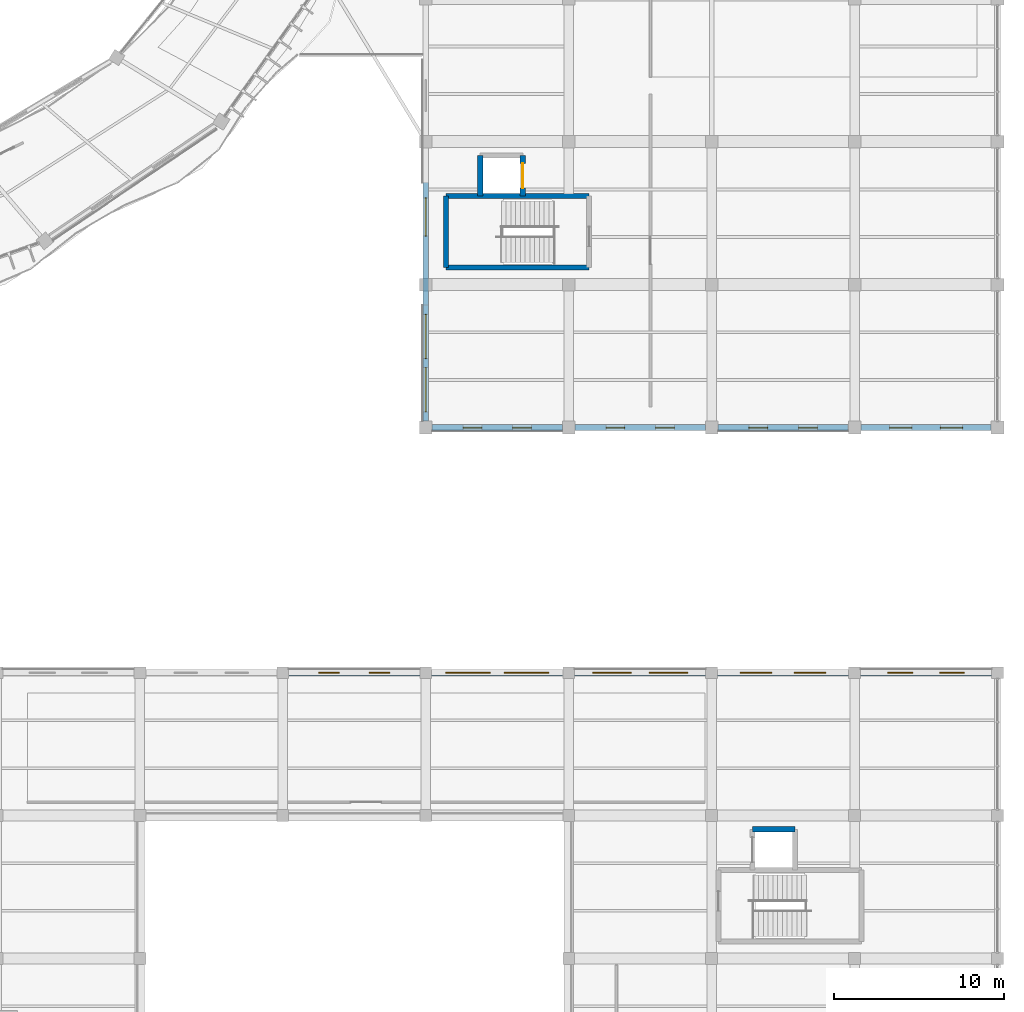
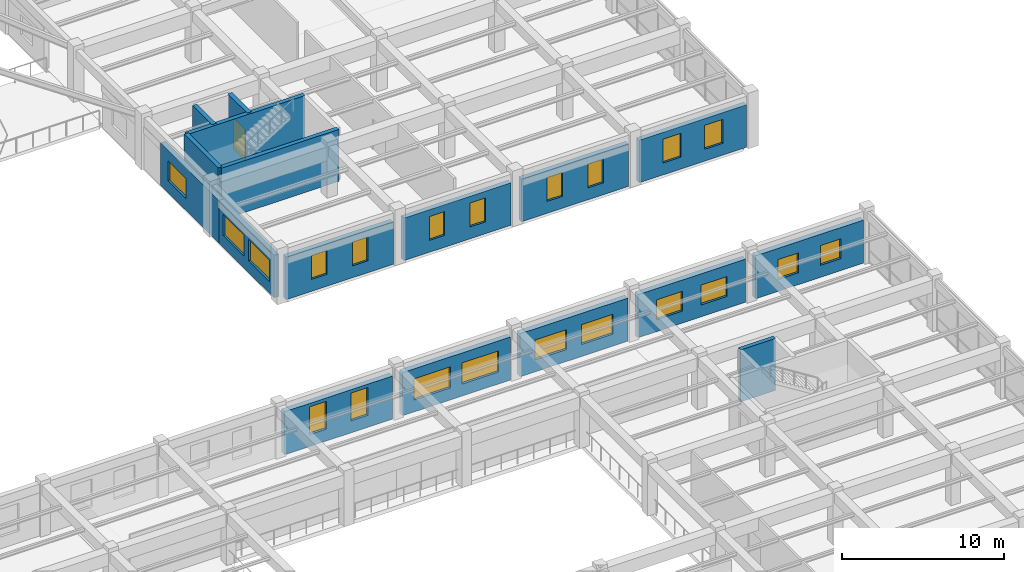
# One storey, part 127 of 152: 21 windows, 17 walls, 1 door, 22 openings.
"""IFC4 building model written with IfcOpenShell, lengths in metres."""

from ifc_helpers import new_model, si_unit, direction, frame, frame_2d, origin, place, context, subcontext, project, spatial, rectangle, extrude, material, layer, layer_set, type_object, element, fill, save


model = new_model("IFC4")

# Units and contexts
model_context = context("Model", 3, precision=1e-05, world=origin(), true_north=direction((0.0, 1.0)))
body_context = subcontext(model_context, "Body", "Model", "MODEL_VIEW")
ifc_project = project(units=[si_unit("LENGTHUNIT", "METRE"), si_unit("AREAUNIT", "SQUARE_METRE"), si_unit("VOLUMEUNIT", "CUBIC_METRE"), si_unit("PLANEANGLEUNIT", "RADIAN"), si_unit("MASSUNIT", "GRAM", prefix="KILO"), si_unit("THERMODYNAMICTEMPERATUREUNIT", "KELVIN"), si_unit("POWERUNIT", "WATT")], contexts=[model_context])

# Site, building, storey
site_placement = place(None, origin())
site = spatial("IfcSite", under=ifc_project, at=site_placement, CompositionType="ELEMENT")
building_placement = place(site_placement, origin())
building = spatial("IfcBuilding", under=site, at=building_placement, Name="Darbajah Civic Hall", CompositionType="ELEMENT")
storey_placement = place(building_placement, frame((0.0, 0.0, 5.39990234375)))
storey = spatial("IfcBuildingStorey", under=building, at=storey_placement, Name="L01", CompositionType="ELEMENT", Elevation=5.39990234375)

# Walls
ifc_material_1 = material(Name="Concrete C45/55", Category="concrete")
ifc_layer_1 = layer(ifc_material_1, 0.300048828125, Name="Concrete C45/55")
ifc_layer_set_1 = layer_set([ifc_layer_1], Name="Concrete C45/55")
wall_type_1 = type_object("IfcWallType", Name="Core Shear Wall 300mm", PredefinedType="SHEAR", material=ifc_layer_set_1)
wall_1_placement = place(storey_placement, frame((166.300048828125, 32.800048828125, 0.0), z_axis=(0.0, 0.0, 1.0), x_axis=(-1.0, 0.0, 0.0)))
element("IfcWall", 1, at=wall_1_placement, inside=storey, type_object=wall_type_1, Name="L01 lift GL1 shaft wall N", PredefinedType="SHEAR", context=body_context, shape_type="SweptSolid", body=[
    extrude(rectangle(XDim=2.5, YDim=0.300048828125, at=frame_2d((1.25, 0.0))), origin(), (0.0, 0.0, 1.0), 3.920166015625),
])
for number, where, z_axis, x_axis, name in (
    (2, (145.800048828125, 65.800048828125, 0.0), (0.0, 0.0, 1.0), (1.0, 0.0, 0.0), "L01 core C09 shear wall S"),
    (3, (154.199951171875, 70.0, 0.0), (0.0, 0.0, 1.0), (-1.0, 0.0, 0.0), "L01 core C09 shear wall N"),
):
    element("IfcWall", number, at=place(storey_placement, frame(where, z_axis=z_axis, x_axis=x_axis)), inside=storey, type_object=wall_type_1, Name=name, PredefinedType="SHEAR", context=body_context, shape_type="SweptSolid", body=[
        extrude(rectangle(XDim=8.39990234375, YDim=0.300048828125, at=frame_2d((4.199951171875, 0.0))), origin(), (0.0, 0.0, 1.0), 3.920166015625),
    ])
wall_2_placement = place(storey_placement, frame((145.800048828125, 70.0, 0.0), z_axis=(0.0, 0.0, 1.0), x_axis=(0.0, -1.0, 0.0)))
element("IfcWall", 4, at=wall_2_placement, inside=storey, type_object=wall_type_1, Name="L01 core C09 shear wall W", PredefinedType="SHEAR", context=body_context, shape_type="SweptSolid", body=[
    extrude(rectangle(XDim=4.199951171875, YDim=0.300048828125, at=frame_2d((2.10009765625, 0.0))), origin(), (0.0, 0.0, 1.0), 3.920166015625),
])
wall_3_placement = place(storey_placement, frame((147.800048828125, 72.39990234375, 0.0), z_axis=(0.0, 0.0, 1.0), x_axis=(0.0, -1.0, 0.0)))
element("IfcWall", 5, at=wall_3_placement, inside=storey, type_object=wall_type_1, Name="L01 lift BL1 shaft wall W", PredefinedType="SHEAR", context=body_context, shape_type="SweptSolid", body=[
    extrude(rectangle(XDim=2.39990234375, YDim=0.300048828125, at=frame_2d((1.199951171875, 0.0))), origin(), (0.0, 0.0, 1.0), 3.920166015625),
])

# Wall, opening, door
wall_4_placement = place(storey_placement, frame((150.300048828125, 70.0, 0.0), z_axis=(0.0, 0.0, 1.0), x_axis=(0.0, 1.0, 0.0)))
wall_4 = element("IfcWall", 6, at=wall_4_placement, inside=storey, type_object=wall_type_1, Name="L01 lift BL1 shaft wall E", PredefinedType="SHEAR", context=body_context, shape_type="SweptSolid", body=[
    extrude(rectangle(XDim=2.39990234375, YDim=0.300048828125, at=frame_2d((1.199951171875, 0.0))), origin(), (0.0, 0.0, 1.0), 3.920166015625),
])
opening_1_placement = place(wall_4_placement, frame((0.47509765625, 0.0, 0.0)))
opening_1 = element("IfcOpeningElement", 7, at=opening_1_placement, cuts=wall_4, Name="Opening LD-0105", PredefinedType="OPENING", context=body_context, shape_type="SweptSolid", body=[
    extrude(rectangle(XDim=1.449951171875, YDim=2.35009765625, at=frame_2d((0.72509765625, 1.175048828125))), frame((0.0, 0.159912109375, 0.0), z_axis=(0.0, -1.0, 0.0), x_axis=(1.0, 0.0, 0.0)), (0.0, 0.0, 1.0), 0.320068359375),
])
ifc_material_2 = material(Name="Goods Lift Landing Door")
door_type = type_object("IfcDoorType", Name="Lift Landing Door 1450x2350", OperationType="SLIDING_TO_LEFT", PredefinedType="DOOR", material=ifc_material_2)
door_placement = place(opening_1_placement, origin())
door = element("IfcDoor", 8, at=door_placement, inside=storey, type_object=door_type, Name="L01 lift BL1 landing door LD-0105", OperationType="SLIDING_TO_LEFT", OverallHeight=2.35009765625, OverallWidth=1.449951171875, PredefinedType="DOOR", context=body_context, shape_type="SweptSolid", body=[
    extrude(rectangle(XDim=1.449951171875, YDim=2.35009765625, at=frame_2d((0.72509765625, 1.175048828125))), frame((0.0, 0.02490234375, 0.0), z_axis=(0.0, -1.0, 0.0), x_axis=(1.0, 0.0, 0.0)), (0.0, 0.0, 1.0), 0.050048828125),
])
fill(opening_1, door)

# Wall, openings, windows
ifc_material_3 = material(Name="Qatari Desert Limestone Ashlar", Category="masonry")
ifc_layer_2 = layer(ifc_material_3, 0.340087890625, Name="Qatari Desert Limestone Ashlar")
ifc_layer_set_2 = layer_set([ifc_layer_2], Name="Qatari Desert Limestone Ashlar")
wall_type_2 = type_object("IfcWallType", Name="Exterior Wall 340mm", PredefinedType="SOLIDWALL", material=ifc_layer_set_2)
wall_5_placement = place(storey_placement, frame((144.97705078125, 56.39990234375, 0.0), z_axis=(0.0, 0.0, 1.0), x_axis=(1.0, 0.0, 0.0)))
wall_5 = element("IfcWall", 9, at=wall_5_placement, inside=storey, type_object=wall_type_2, Name="L01 exterior wall EW-340", PredefinedType="SOLIDWALL", context=body_context, shape_type="SweptSolid", body=[
    extrude(rectangle(XDim=7.64599609375, YDim=0.340087890625, at=frame_2d((3.822998046875, 0.0))), origin(), (0.0, 0.0, 1.0), 3.210205078125),
])
opening_2_placement = place(wall_5_placement, frame((1.815185546875, 0.0, 0.89990234375)))
opening_2 = element("IfcOpeningElement", 10, at=opening_2_placement, cuts=wall_5, Name="Opening WN-17", PredefinedType="OPENING", context=body_context, shape_type="SweptSolid", body=[
    extrude(rectangle(XDim=1.10009765625, YDim=1.800048828125, at=frame_2d((0.550048828125, 0.89990234375))), frame((0.0, 0.179931640625, 0.0), z_axis=(0.0, -1.0, 0.0), x_axis=(1.0, 0.0, 0.0)), (0.0, 0.0, 1.0), 0.360107421875),
])
opening_3_placement = place(wall_5_placement, frame((4.730712890625, 0.0, 0.89990234375)))
opening_3 = element("IfcOpeningElement", 11, at=opening_3_placement, cuts=wall_5, Name="Opening WN-17", PredefinedType="OPENING", context=body_context, shape_type="SweptSolid", body=[
    extrude(rectangle(XDim=1.10009765625, YDim=1.800048828125, at=frame_2d((0.550048828125, 0.89990234375))), frame((0.0, 0.179931640625, 0.0), z_axis=(0.0, -1.0, 0.0), x_axis=(1.0, 0.0, 0.0)), (0.0, 0.0, 1.0), 0.360107421875),
])
ifc_material_4 = material(Name="Low-E Solar Control Double Glazing", Category="glass")
window_type_1 = type_object("IfcWindowType", Name="Facade Window 1100x1800", PartitioningType="SINGLE_PANEL", PredefinedType="WINDOW", material=ifc_material_4)
window_1_placement = place(opening_2_placement, origin())
window_1 = element("IfcWindow", 12, at=window_1_placement, inside=storey, type_object=window_type_1, Name="L01 facade window WN-17", OverallHeight=1.800048828125, OverallWidth=1.10009765625, PartitioningType="SINGLE_PANEL", PredefinedType="WINDOW", context=body_context, shape_type="SweptSolid", body=[
    extrude(rectangle(XDim=1.10009765625, YDim=1.800048828125, at=frame_2d((0.550048828125, 0.89990234375))), frame((0.0, 0.030029296875, 0.0), z_axis=(0.0, -1.0, 0.0), x_axis=(1.0, 0.0, 0.0)), (0.0, 0.0, 1.0), 0.06005859375),
])
fill(opening_2, window_1)
window_2_placement = place(opening_3_placement, origin())
window_2 = element("IfcWindow", 13, at=window_2_placement, inside=storey, type_object=window_type_1, Name="L01 facade window WN-17", OverallHeight=1.800048828125, OverallWidth=1.10009765625, PartitioningType="SINGLE_PANEL", PredefinedType="WINDOW", context=body_context, shape_type="SweptSolid", body=[
    extrude(rectangle(XDim=1.10009765625, YDim=1.800048828125, at=frame_2d((0.550048828125, 0.89990234375))), frame((0.0, 0.030029296875, 0.0), z_axis=(0.0, -1.0, 0.0), x_axis=(1.0, 0.0, 0.0)), (0.0, 0.0, 1.0), 0.06005859375),
])
fill(opening_3, window_2)

wall_6_placement = place(storey_placement, frame((153.376953125, 56.39990234375, 0.0), z_axis=(0.0, 0.0, 1.0), x_axis=(1.0, 0.0, 0.0)))
wall_6 = element("IfcWall", 14, at=wall_6_placement, inside=storey, type_object=wall_type_2, Name="L01 exterior wall EW-340", PredefinedType="SOLIDWALL", context=body_context, shape_type="SweptSolid", body=[
    extrude(rectangle(XDim=7.64599609375, YDim=0.340087890625, at=frame_2d((3.822998046875, 0.0))), origin(), (0.0, 0.0, 1.0), 3.210205078125),
])
opening_4_placement = place(wall_6_placement, frame((1.815185546875, 0.0, 0.89990234375)))
opening_4 = element("IfcOpeningElement", 15, at=opening_4_placement, cuts=wall_6, Name="Opening WN-17", PredefinedType="OPENING", context=body_context, shape_type="SweptSolid", body=[
    extrude(rectangle(XDim=1.10009765625, YDim=1.800048828125, at=frame_2d((0.550048828125, 0.89990234375))), frame((0.0, 0.179931640625, 0.0), z_axis=(0.0, -1.0, 0.0), x_axis=(1.0, 0.0, 0.0)), (0.0, 0.0, 1.0), 0.360107421875),
])
opening_5_placement = place(wall_6_placement, frame((4.730712890625, 0.0, 0.89990234375)))
opening_5 = element("IfcOpeningElement", 16, at=opening_5_placement, cuts=wall_6, Name="Opening WN-17", PredefinedType="OPENING", context=body_context, shape_type="SweptSolid", body=[
    extrude(rectangle(XDim=1.10009765625, YDim=1.800048828125, at=frame_2d((0.550048828125, 0.89990234375))), frame((0.0, 0.179931640625, 0.0), z_axis=(0.0, -1.0, 0.0), x_axis=(1.0, 0.0, 0.0)), (0.0, 0.0, 1.0), 0.360107421875),
])
window_3_placement = place(opening_4_placement, origin())
window_3 = element("IfcWindow", 17, at=window_3_placement, inside=storey, type_object=window_type_1, Name="L01 facade window WN-17", OverallHeight=1.800048828125, OverallWidth=1.10009765625, PartitioningType="SINGLE_PANEL", PredefinedType="WINDOW", context=body_context, shape_type="SweptSolid", body=[
    extrude(rectangle(XDim=1.10009765625, YDim=1.800048828125, at=frame_2d((0.550048828125, 0.89990234375))), frame((0.0, 0.030029296875, 0.0), z_axis=(0.0, -1.0, 0.0), x_axis=(1.0, 0.0, 0.0)), (0.0, 0.0, 1.0), 0.06005859375),
])
fill(opening_4, window_3)
window_4_placement = place(opening_5_placement, origin())
window_4 = element("IfcWindow", 18, at=window_4_placement, inside=storey, type_object=window_type_1, Name="L01 facade window WN-17", OverallHeight=1.800048828125, OverallWidth=1.10009765625, PartitioningType="SINGLE_PANEL", PredefinedType="WINDOW", context=body_context, shape_type="SweptSolid", body=[
    extrude(rectangle(XDim=1.10009765625, YDim=1.800048828125, at=frame_2d((0.550048828125, 0.89990234375))), frame((0.0, 0.030029296875, 0.0), z_axis=(0.0, -1.0, 0.0), x_axis=(1.0, 0.0, 0.0)), (0.0, 0.0, 1.0), 0.06005859375),
])
fill(opening_5, window_4)

wall_7_placement = place(storey_placement, frame((161.777099609375, 56.39990234375, 0.0), z_axis=(0.0, 0.0, 1.0), x_axis=(1.0, 0.0, 0.0)))
wall_7 = element("IfcWall", 19, at=wall_7_placement, inside=storey, type_object=wall_type_2, Name="L01 exterior wall EW-340", PredefinedType="SOLIDWALL", context=body_context, shape_type="SweptSolid", body=[
    extrude(rectangle(XDim=7.64599609375, YDim=0.340087890625, at=frame_2d((3.822998046875, 0.0))), origin(), (0.0, 0.0, 1.0), 3.210205078125),
])
opening_6_placement = place(wall_7_placement, frame((1.815185546875, 0.0, 0.89990234375)))
opening_6 = element("IfcOpeningElement", 20, at=opening_6_placement, cuts=wall_7, Name="Opening WN-17", PredefinedType="OPENING", context=body_context, shape_type="SweptSolid", body=[
    extrude(rectangle(XDim=1.10009765625, YDim=1.800048828125, at=frame_2d((0.550048828125, 0.89990234375))), frame((0.0, 0.179931640625, 0.0), z_axis=(0.0, -1.0, 0.0), x_axis=(1.0, 0.0, 0.0)), (0.0, 0.0, 1.0), 0.360107421875),
])
opening_7_placement = place(wall_7_placement, frame((4.730712890625, 0.0, 0.89990234375)))
opening_7 = element("IfcOpeningElement", 21, at=opening_7_placement, cuts=wall_7, Name="Opening WN-17", PredefinedType="OPENING", context=body_context, shape_type="SweptSolid", body=[
    extrude(rectangle(XDim=1.10009765625, YDim=1.800048828125, at=frame_2d((0.550048828125, 0.89990234375))), frame((0.0, 0.179931640625, 0.0), z_axis=(0.0, -1.0, 0.0), x_axis=(1.0, 0.0, 0.0)), (0.0, 0.0, 1.0), 0.360107421875),
])
window_5_placement = place(opening_6_placement, origin())
window_5 = element("IfcWindow", 22, at=window_5_placement, inside=storey, type_object=window_type_1, Name="L01 facade window WN-17", OverallHeight=1.800048828125, OverallWidth=1.10009765625, PartitioningType="SINGLE_PANEL", PredefinedType="WINDOW", context=body_context, shape_type="SweptSolid", body=[
    extrude(rectangle(XDim=1.10009765625, YDim=1.800048828125, at=frame_2d((0.550048828125, 0.89990234375))), frame((0.0, 0.030029296875, 0.0), z_axis=(0.0, -1.0, 0.0), x_axis=(1.0, 0.0, 0.0)), (0.0, 0.0, 1.0), 0.06005859375),
])
fill(opening_6, window_5)
window_6_placement = place(opening_7_placement, origin())
window_6 = element("IfcWindow", 23, at=window_6_placement, inside=storey, type_object=window_type_1, Name="L01 facade window WN-17", OverallHeight=1.800048828125, OverallWidth=1.10009765625, PartitioningType="SINGLE_PANEL", PredefinedType="WINDOW", context=body_context, shape_type="SweptSolid", body=[
    extrude(rectangle(XDim=1.10009765625, YDim=1.800048828125, at=frame_2d((0.550048828125, 0.89990234375))), frame((0.0, 0.030029296875, 0.0), z_axis=(0.0, -1.0, 0.0), x_axis=(1.0, 0.0, 0.0)), (0.0, 0.0, 1.0), 0.06005859375),
])
fill(opening_7, window_6)

wall_8_placement = place(storey_placement, frame((170.177001953125, 56.39990234375, 0.0), z_axis=(0.0, 0.0, 1.0), x_axis=(1.0, 0.0, 0.0)))
wall_8 = element("IfcWall", 24, at=wall_8_placement, inside=storey, type_object=wall_type_2, Name="L01 exterior wall EW-340", PredefinedType="SOLIDWALL", context=body_context, shape_type="SweptSolid", body=[
    extrude(rectangle(XDim=7.64599609375, YDim=0.340087890625, at=frame_2d((3.822998046875, 0.0))), origin(), (0.0, 0.0, 1.0), 3.210205078125),
])
opening_8_placement = place(wall_8_placement, frame((1.681884765625, 0.0, 0.89990234375)))
opening_8 = element("IfcOpeningElement", 25, at=opening_8_placement, cuts=wall_8, Name="Opening WN-18", PredefinedType="OPENING", context=body_context, shape_type="SweptSolid", body=[
    extrude(rectangle(XDim=1.300048828125, YDim=1.800048828125, at=frame_2d((0.64990234375, 0.89990234375))), frame((0.0, 0.179931640625, 0.0), z_axis=(0.0, -1.0, 0.0), x_axis=(1.0, 0.0, 0.0)), (0.0, 0.0, 1.0), 0.360107421875),
])
opening_9_placement = place(wall_8_placement, frame((4.6640625, 0.0, 0.89990234375)))
opening_9 = element("IfcOpeningElement", 26, at=opening_9_placement, cuts=wall_8, Name="Opening WN-18", PredefinedType="OPENING", context=body_context, shape_type="SweptSolid", body=[
    extrude(rectangle(XDim=1.300048828125, YDim=1.800048828125, at=frame_2d((0.64990234375, 0.89990234375))), frame((0.0, 0.179931640625, 0.0), z_axis=(0.0, -1.0, 0.0), x_axis=(1.0, 0.0, 0.0)), (0.0, 0.0, 1.0), 0.360107421875),
])
window_type_2 = type_object("IfcWindowType", Name="Facade Window 1300x1800", PartitioningType="SINGLE_PANEL", PredefinedType="WINDOW", material=ifc_material_4)
window_7_placement = place(opening_8_placement, origin())
window_7 = element("IfcWindow", 27, at=window_7_placement, inside=storey, type_object=window_type_2, Name="L01 facade window WN-18", OverallHeight=1.800048828125, OverallWidth=1.300048828125, PartitioningType="SINGLE_PANEL", PredefinedType="WINDOW", context=body_context, shape_type="SweptSolid", body=[
    extrude(rectangle(XDim=1.300048828125, YDim=1.800048828125, at=frame_2d((0.64990234375, 0.89990234375))), frame((0.0, 0.030029296875, 0.0), z_axis=(0.0, -1.0, 0.0), x_axis=(1.0, 0.0, 0.0)), (0.0, 0.0, 1.0), 0.06005859375),
])
fill(opening_8, window_7)
window_8_placement = place(opening_9_placement, origin())
window_8 = element("IfcWindow", 28, at=window_8_placement, inside=storey, type_object=window_type_2, Name="L01 facade window WN-18", OverallHeight=1.800048828125, OverallWidth=1.300048828125, PartitioningType="SINGLE_PANEL", PredefinedType="WINDOW", context=body_context, shape_type="SweptSolid", body=[
    extrude(rectangle(XDim=1.300048828125, YDim=1.800048828125, at=frame_2d((0.64990234375, 0.89990234375))), frame((0.0, 0.030029296875, 0.0), z_axis=(0.0, -1.0, 0.0), x_axis=(1.0, 0.0, 0.0)), (0.0, 0.0, 1.0), 0.06005859375),
])
fill(opening_9, window_8)

# Wall, opening, window
wall_9_placement = place(storey_placement, frame((144.60009765625, 70.800048828125, 0.0), z_axis=(0.0, 0.0, 1.0), x_axis=(0.0, -1.0, 0.0)))
wall_9 = element("IfcWall", 29, at=wall_9_placement, inside=storey, type_object=wall_type_2, Name="L01 exterior wall EW-340", PredefinedType="SOLIDWALL", context=body_context, shape_type="SweptSolid", body=[
    extrude(rectangle(XDim=7.199951171875, YDim=0.340087890625, at=frame_2d((3.60009765625, 0.0))), origin(), (0.0, 0.0, 1.0), 3.210205078125),
])
opening_10_placement = place(wall_9_placement, frame((0.89990234375, 0.0, 0.89990234375)))
opening_10 = element("IfcOpeningElement", 30, at=opening_10_placement, cuts=wall_9, Name="Opening WN-27", PredefinedType="OPENING", context=body_context, shape_type="SweptSolid", body=[
    extrude(rectangle(XDim=2.25, YDim=1.5, at=frame_2d((1.125, 0.75))), frame((0.0, 0.179931640625, 0.0), z_axis=(0.0, -1.0, 0.0), x_axis=(1.0, 0.0, 0.0)), (0.0, 0.0, 1.0), 0.360107421875),
])
window_type_3 = type_object("IfcWindowType", Name="Facade Window 2250x1500", PartitioningType="DOUBLE_PANEL_VERTICAL", PredefinedType="WINDOW", material=ifc_material_4)
window_9_placement = place(opening_10_placement, origin())
window_9 = element("IfcWindow", 31, at=window_9_placement, inside=storey, type_object=window_type_3, Name="L01 facade window WN-27", OverallHeight=1.5, OverallWidth=2.25, PartitioningType="SINGLE_PANEL", PredefinedType="WINDOW", context=body_context, shape_type="SweptSolid", body=[
    extrude(rectangle(XDim=2.25, YDim=1.5, at=frame_2d((1.125, 0.75))), frame((0.0, 0.030029296875, 0.0), z_axis=(0.0, -1.0, 0.0), x_axis=(1.0, 0.0, 0.0)), (0.0, 0.0, 1.0), 0.06005859375),
])
fill(opening_10, window_9)

# Wall, openings, windows
wall_10_placement = place(storey_placement, frame((144.60009765625, 63.60009765625, 0.0), z_axis=(0.0, 0.0, 1.0), x_axis=(0.0, -1.0, 0.0)))
wall_10 = element("IfcWall", 32, at=wall_10_placement, inside=storey, type_object=wall_type_2, Name="L01 exterior wall EW-340", PredefinedType="SOLIDWALL", context=body_context, shape_type="SweptSolid", body=[
    extrude(rectangle(XDim=6.822998046875, YDim=0.340087890625, at=frame_2d((3.41162109375, 0.0))), origin(), (0.0, 0.0, 1.0), 3.210205078125),
])
opening_11_placement = place(wall_10_placement, frame((0.541015625, 0.0, 0.89990234375)))
opening_11 = element("IfcOpeningElement", 33, at=opening_11_placement, cuts=wall_10, Name="Opening WN-28", PredefinedType="OPENING", context=body_context, shape_type="SweptSolid", body=[
    extrude(rectangle(XDim=2.60009765625, YDim=1.60009765625, at=frame_2d((1.300048828125, 0.800048828125))), frame((0.0, 0.179931640625, 0.0), z_axis=(0.0, -1.0, 0.0), x_axis=(1.0, 0.0, 0.0)), (0.0, 0.0, 1.0), 0.360107421875),
])
opening_12_placement = place(wall_10_placement, frame((3.681884765625, 0.0, 0.89990234375)))
opening_12 = element("IfcOpeningElement", 34, at=opening_12_placement, cuts=wall_10, Name="Opening WN-28", PredefinedType="OPENING", context=body_context, shape_type="SweptSolid", body=[
    extrude(rectangle(XDim=2.60009765625, YDim=1.60009765625, at=frame_2d((1.300048828125, 0.800048828125))), frame((0.0, 0.179931640625, 0.0), z_axis=(0.0, -1.0, 0.0), x_axis=(1.0, 0.0, 0.0)), (0.0, 0.0, 1.0), 0.360107421875),
])
window_type_4 = type_object("IfcWindowType", Name="Facade Window 2600x1600", PartitioningType="DOUBLE_PANEL_VERTICAL", PredefinedType="WINDOW", material=ifc_material_4)
window_10_placement = place(opening_11_placement, origin())
window_10 = element("IfcWindow", 35, at=window_10_placement, inside=storey, type_object=window_type_4, Name="L01 facade window WN-28", OverallHeight=1.60009765625, OverallWidth=2.60009765625, PartitioningType="SINGLE_PANEL", PredefinedType="WINDOW", context=body_context, shape_type="SweptSolid", body=[
    extrude(rectangle(XDim=2.60009765625, YDim=1.60009765625, at=frame_2d((1.300048828125, 0.800048828125))), frame((0.0, 0.030029296875, 0.0), z_axis=(0.0, -1.0, 0.0), x_axis=(1.0, 0.0, 0.0)), (0.0, 0.0, 1.0), 0.06005859375),
])
fill(opening_11, window_10)
window_11_placement = place(opening_12_placement, origin())
window_11 = element("IfcWindow", 36, at=window_11_placement, inside=storey, type_object=window_type_4, Name="L01 facade window WN-28", OverallHeight=1.60009765625, OverallWidth=2.60009765625, PartitioningType="SINGLE_PANEL", PredefinedType="WINDOW", context=body_context, shape_type="SweptSolid", body=[
    extrude(rectangle(XDim=2.60009765625, YDim=1.60009765625, at=frame_2d((1.300048828125, 0.800048828125))), frame((0.0, 0.030029296875, 0.0), z_axis=(0.0, -1.0, 0.0), x_axis=(1.0, 0.0, 0.0)), (0.0, 0.0, 1.0), 0.06005859375),
])
fill(opening_12, window_11)

ifc_material_5 = material(Name="Red Dholpur Sandstone Cladding", Category="masonry")
ifc_layer_3 = layer(ifc_material_5, 0.3798828125, Name="Red Dholpur Sandstone Cladding")
ifc_layer_set_3 = layer_set([ifc_layer_3], Name="Red Dholpur Sandstone Cladding")
wall_type_3 = type_object("IfcWallType", Name="Exterior Wall 380mm", PredefinedType="SOLIDWALL", material=ifc_layer_set_3)
wall_11_placement = place(storey_placement, frame((177.847900390625, 42.0, 0.0), z_axis=(0.0, 0.0, 1.0), x_axis=(-1.0, 0.0, 0.0)))
wall_11 = element("IfcWall", 37, at=wall_11_placement, inside=storey, type_object=wall_type_3, Name="L01 exterior wall EW-380", PredefinedType="SOLIDWALL", context=body_context, shape_type="SweptSolid", body=[
    extrude(rectangle(XDim=7.69580078125, YDim=0.3798828125, at=frame_2d((3.847900390625, 0.0))), origin(), (0.0, 0.0, 1.0), 3.25),
])
opening_13_placement = place(wall_11_placement, frame((1.5986328125, 0.0, 0.89990234375)))
opening_13 = element("IfcOpeningElement", 38, at=opening_13_placement, cuts=wall_11, Name="Opening WN-25", PredefinedType="OPENING", context=body_context, shape_type="SweptSolid", body=[
    extrude(rectangle(XDim=1.449951171875, YDim=1.5, at=frame_2d((0.72509765625, 0.75))), frame((0.0, 0.199951171875, 0.0), z_axis=(0.0, -1.0, 0.0), x_axis=(1.0, 0.0, 0.0)), (0.0, 0.0, 1.0), 0.39990234375),
])
opening_14_placement = place(wall_11_placement, frame((4.647216796875, 0.0, 0.89990234375)))
opening_14 = element("IfcOpeningElement", 39, at=opening_14_placement, cuts=wall_11, Name="Opening WN-25", PredefinedType="OPENING", context=body_context, shape_type="SweptSolid", body=[
    extrude(rectangle(XDim=1.449951171875, YDim=1.5, at=frame_2d((0.72509765625, 0.75))), frame((0.0, 0.199951171875, 0.0), z_axis=(0.0, -1.0, 0.0), x_axis=(1.0, 0.0, 0.0)), (0.0, 0.0, 1.0), 0.39990234375),
])
window_type_5 = type_object("IfcWindowType", Name="Facade Window 1450x1500", PartitioningType="SINGLE_PANEL", PredefinedType="WINDOW", material=ifc_material_4)
window_12_placement = place(opening_13_placement, origin())
window_12 = element("IfcWindow", 40, at=window_12_placement, inside=storey, type_object=window_type_5, Name="L01 facade window WN-25", OverallHeight=1.5, OverallWidth=1.449951171875, PartitioningType="SINGLE_PANEL", PredefinedType="WINDOW", context=body_context, shape_type="SweptSolid", body=[
    extrude(rectangle(XDim=1.449951171875, YDim=1.5, at=frame_2d((0.72509765625, 0.75))), frame((0.0, 0.030029296875, 0.0), z_axis=(0.0, -1.0, 0.0), x_axis=(1.0, 0.0, 0.0)), (0.0, 0.0, 1.0), 0.06005859375),
])
fill(opening_13, window_12)
window_13_placement = place(opening_14_placement, origin())
window_13 = element("IfcWindow", 41, at=window_13_placement, inside=storey, type_object=window_type_5, Name="L01 facade window WN-25", OverallHeight=1.5, OverallWidth=1.449951171875, PartitioningType="SINGLE_PANEL", PredefinedType="WINDOW", context=body_context, shape_type="SweptSolid", body=[
    extrude(rectangle(XDim=1.449951171875, YDim=1.5, at=frame_2d((0.72509765625, 0.75))), frame((0.0, 0.030029296875, 0.0), z_axis=(0.0, -1.0, 0.0), x_axis=(1.0, 0.0, 0.0)), (0.0, 0.0, 1.0), 0.06005859375),
])
fill(opening_14, window_13)

wall_12_placement = place(storey_placement, frame((169.447998046875, 42.0, 0.0), z_axis=(0.0, 0.0, 1.0), x_axis=(-1.0, 0.0, 0.0)))
wall_12 = element("IfcWall", 42, at=wall_12_placement, inside=storey, type_object=wall_type_3, Name="L01 exterior wall EW-380", PredefinedType="SOLIDWALL", context=body_context, shape_type="SweptSolid", body=[
    extrude(rectangle(XDim=7.696044921875, YDim=0.3798828125, at=frame_2d((3.84814453125, 0.0))), origin(), (0.0, 0.0, 1.0), 3.25),
])
opening_15_placement = place(wall_12_placement, frame((1.33203125, 0.0, 0.89990234375)))
opening_15 = element("IfcOpeningElement", 43, at=opening_15_placement, cuts=wall_12, Name="Opening WN-26", PredefinedType="OPENING", context=body_context, shape_type="SweptSolid", body=[
    extrude(rectangle(XDim=1.85009765625, YDim=1.5, at=frame_2d((0.925048828125, 0.75))), frame((0.0, 0.199951171875, 0.0), z_axis=(0.0, -1.0, 0.0), x_axis=(1.0, 0.0, 0.0)), (0.0, 0.0, 1.0), 0.39990234375),
])
opening_16_placement = place(wall_12_placement, frame((4.513916015625, 0.0, 0.89990234375)))
opening_16 = element("IfcOpeningElement", 44, at=opening_16_placement, cuts=wall_12, Name="Opening WN-26", PredefinedType="OPENING", context=body_context, shape_type="SweptSolid", body=[
    extrude(rectangle(XDim=1.85009765625, YDim=1.5, at=frame_2d((0.925048828125, 0.75))), frame((0.0, 0.199951171875, 0.0), z_axis=(0.0, -1.0, 0.0), x_axis=(1.0, 0.0, 0.0)), (0.0, 0.0, 1.0), 0.39990234375),
])
window_type_6 = type_object("IfcWindowType", Name="Facade Window 1850x1500", PartitioningType="DOUBLE_PANEL_VERTICAL", PredefinedType="WINDOW", material=ifc_material_4)
window_14_placement = place(opening_15_placement, origin())
window_14 = element("IfcWindow", 45, at=window_14_placement, inside=storey, type_object=window_type_6, Name="L01 facade window WN-26", OverallHeight=1.5, OverallWidth=1.85009765625, PartitioningType="SINGLE_PANEL", PredefinedType="WINDOW", context=body_context, shape_type="SweptSolid", body=[
    extrude(rectangle(XDim=1.85009765625, YDim=1.5, at=frame_2d((0.925048828125, 0.75))), frame((0.0, 0.030029296875, 0.0), z_axis=(0.0, -1.0, 0.0), x_axis=(1.0, 0.0, 0.0)), (0.0, 0.0, 1.0), 0.06005859375),
])
fill(opening_15, window_14)
window_15_placement = place(opening_16_placement, origin())
window_15 = element("IfcWindow", 46, at=window_15_placement, inside=storey, type_object=window_type_6, Name="L01 facade window WN-26", OverallHeight=1.5, OverallWidth=1.85009765625, PartitioningType="SINGLE_PANEL", PredefinedType="WINDOW", context=body_context, shape_type="SweptSolid", body=[
    extrude(rectangle(XDim=1.85009765625, YDim=1.5, at=frame_2d((0.925048828125, 0.75))), frame((0.0, 0.030029296875, 0.0), z_axis=(0.0, -1.0, 0.0), x_axis=(1.0, 0.0, 0.0)), (0.0, 0.0, 1.0), 0.06005859375),
])
fill(opening_16, window_15)

wall_13_placement = place(storey_placement, frame((161.048095703125, 42.0, 0.0), z_axis=(0.0, 0.0, 1.0), x_axis=(-1.0, 0.0, 0.0)))
wall_13 = element("IfcWall", 47, at=wall_13_placement, inside=storey, type_object=wall_type_3, Name="L01 exterior wall EW-380", PredefinedType="SOLIDWALL", context=body_context, shape_type="SweptSolid", body=[
    extrude(rectangle(XDim=7.696044921875, YDim=0.3798828125, at=frame_2d((3.84814453125, 0.0))), origin(), (0.0, 0.0, 1.0), 3.25),
])
opening_17_placement = place(wall_13_placement, frame((1.065185546875, 0.0, 0.89990234375)))
opening_17 = element("IfcOpeningElement", 48, at=opening_17_placement, cuts=wall_13, Name="Opening WN-27", PredefinedType="OPENING", context=body_context, shape_type="SweptSolid", body=[
    extrude(rectangle(XDim=2.25, YDim=1.5, at=frame_2d((1.125, 0.75))), frame((0.0, 0.199951171875, 0.0), z_axis=(0.0, -1.0, 0.0), x_axis=(1.0, 0.0, 0.0)), (0.0, 0.0, 1.0), 0.39990234375),
])
opening_18_placement = place(wall_13_placement, frame((4.380615234375, 0.0, 0.89990234375)))
opening_18 = element("IfcOpeningElement", 49, at=opening_18_placement, cuts=wall_13, Name="Opening WN-27", PredefinedType="OPENING", context=body_context, shape_type="SweptSolid", body=[
    extrude(rectangle(XDim=2.25, YDim=1.5, at=frame_2d((1.125, 0.75))), frame((0.0, 0.199951171875, 0.0), z_axis=(0.0, -1.0, 0.0), x_axis=(1.0, 0.0, 0.0)), (0.0, 0.0, 1.0), 0.39990234375),
])
window_16_placement = place(opening_17_placement, origin())
window_16 = element("IfcWindow", 50, at=window_16_placement, inside=storey, type_object=window_type_3, Name="L01 facade window WN-27", OverallHeight=1.5, OverallWidth=2.25, PartitioningType="SINGLE_PANEL", PredefinedType="WINDOW", context=body_context, shape_type="SweptSolid", body=[
    extrude(rectangle(XDim=2.25, YDim=1.5, at=frame_2d((1.125, 0.75))), frame((0.0, 0.030029296875, 0.0), z_axis=(0.0, -1.0, 0.0), x_axis=(1.0, 0.0, 0.0)), (0.0, 0.0, 1.0), 0.06005859375),
])
fill(opening_17, window_16)
window_17_placement = place(opening_18_placement, origin())
window_17 = element("IfcWindow", 51, at=window_17_placement, inside=storey, type_object=window_type_3, Name="L01 facade window WN-27", OverallHeight=1.5, OverallWidth=2.25, PartitioningType="SINGLE_PANEL", PredefinedType="WINDOW", context=body_context, shape_type="SweptSolid", body=[
    extrude(rectangle(XDim=2.25, YDim=1.5, at=frame_2d((1.125, 0.75))), frame((0.0, 0.030029296875, 0.0), z_axis=(0.0, -1.0, 0.0), x_axis=(1.0, 0.0, 0.0)), (0.0, 0.0, 1.0), 0.06005859375),
])
fill(opening_18, window_17)

wall_14_placement = place(storey_placement, frame((152.64794921875, 42.0, 0.0), z_axis=(0.0, 0.0, 1.0), x_axis=(-1.0, 0.0, 0.0)))
wall_14 = element("IfcWall", 52, at=wall_14_placement, inside=storey, type_object=wall_type_3, Name="L01 exterior wall EW-380", PredefinedType="SOLIDWALL", context=body_context, shape_type="SweptSolid", body=[
    extrude(rectangle(XDim=7.696044921875, YDim=0.3798828125, at=frame_2d((3.84814453125, 0.0))), origin(), (0.0, 0.0, 1.0), 3.25),
])
opening_19_placement = place(wall_14_placement, frame((0.83203125, 0.0, 0.89990234375)))
opening_19 = element("IfcOpeningElement", 53, at=opening_19_placement, cuts=wall_14, Name="Opening WN-28", PredefinedType="OPENING", context=body_context, shape_type="SweptSolid", body=[
    extrude(rectangle(XDim=2.60009765625, YDim=1.60009765625, at=frame_2d((1.300048828125, 0.800048828125))), frame((0.0, 0.199951171875, 0.0), z_axis=(0.0, -1.0, 0.0), x_axis=(1.0, 0.0, 0.0)), (0.0, 0.0, 1.0), 0.39990234375),
])
opening_20_placement = place(wall_14_placement, frame((4.263916015625, 0.0, 0.89990234375)))
opening_20 = element("IfcOpeningElement", 54, at=opening_20_placement, cuts=wall_14, Name="Opening WN-28", PredefinedType="OPENING", context=body_context, shape_type="SweptSolid", body=[
    extrude(rectangle(XDim=2.60009765625, YDim=1.60009765625, at=frame_2d((1.300048828125, 0.800048828125))), frame((0.0, 0.199951171875, 0.0), z_axis=(0.0, -1.0, 0.0), x_axis=(1.0, 0.0, 0.0)), (0.0, 0.0, 1.0), 0.39990234375),
])
window_18_placement = place(opening_19_placement, origin())
window_18 = element("IfcWindow", 55, at=window_18_placement, inside=storey, type_object=window_type_4, Name="L01 facade window WN-28", OverallHeight=1.60009765625, OverallWidth=2.60009765625, PartitioningType="SINGLE_PANEL", PredefinedType="WINDOW", context=body_context, shape_type="SweptSolid", body=[
    extrude(rectangle(XDim=2.60009765625, YDim=1.60009765625, at=frame_2d((1.300048828125, 0.800048828125))), frame((0.0, 0.030029296875, 0.0), z_axis=(0.0, -1.0, 0.0), x_axis=(1.0, 0.0, 0.0)), (0.0, 0.0, 1.0), 0.06005859375),
])
fill(opening_19, window_18)
window_19_placement = place(opening_20_placement, origin())
window_19 = element("IfcWindow", 56, at=window_19_placement, inside=storey, type_object=window_type_4, Name="L01 facade window WN-28", OverallHeight=1.60009765625, OverallWidth=2.60009765625, PartitioningType="SINGLE_PANEL", PredefinedType="WINDOW", context=body_context, shape_type="SweptSolid", body=[
    extrude(rectangle(XDim=2.60009765625, YDim=1.60009765625, at=frame_2d((1.300048828125, 0.800048828125))), frame((0.0, 0.030029296875, 0.0), z_axis=(0.0, -1.0, 0.0), x_axis=(1.0, 0.0, 0.0)), (0.0, 0.0, 1.0), 0.06005859375),
])
fill(opening_20, window_19)

wall_15_placement = place(storey_placement, frame((144.248046875, 42.0, 0.0), z_axis=(0.0, 0.0, 1.0), x_axis=(-1.0, 0.0, 0.0)))
wall_15 = element("IfcWall", 57, at=wall_15_placement, inside=storey, type_object=wall_type_3, Name="L01 exterior wall EW-380", PredefinedType="SOLIDWALL", context=body_context, shape_type="SweptSolid", body=[
    extrude(rectangle(XDim=7.696044921875, YDim=0.3798828125, at=frame_2d((3.84814453125, 0.0))), origin(), (0.0, 0.0, 1.0), 3.25),
])
opening_21_placement = place(wall_15_placement, frame((1.765380859375, 0.0, 0.89990234375)))
opening_21 = element("IfcOpeningElement", 58, at=opening_21_placement, cuts=wall_15, Name="Opening WN-01", PredefinedType="OPENING", context=body_context, shape_type="SweptSolid", body=[
    extrude(rectangle(XDim=1.199951171875, YDim=2.10009765625, at=frame_2d((0.60009765625, 1.050048828125))), frame((0.0, 0.199951171875, 0.0), z_axis=(0.0, -1.0, 0.0), x_axis=(1.0, 0.0, 0.0)), (0.0, 0.0, 1.0), 0.39990234375),
])
opening_22_placement = place(wall_15_placement, frame((4.730712890625, 0.0, 0.89990234375)))
opening_22 = element("IfcOpeningElement", 59, at=opening_22_placement, cuts=wall_15, Name="Opening WN-01", PredefinedType="OPENING", context=body_context, shape_type="SweptSolid", body=[
    extrude(rectangle(XDim=1.199951171875, YDim=2.10009765625, at=frame_2d((0.60009765625, 1.050048828125))), frame((0.0, 0.199951171875, 0.0), z_axis=(0.0, -1.0, 0.0), x_axis=(1.0, 0.0, 0.0)), (0.0, 0.0, 1.0), 0.39990234375),
])
window_type_7 = type_object("IfcWindowType", Name="Facade Window 1200x2100", PartitioningType="SINGLE_PANEL", PredefinedType="WINDOW", material=ifc_material_4)
window_20_placement = place(opening_21_placement, origin())
window_20 = element("IfcWindow", 60, at=window_20_placement, inside=storey, type_object=window_type_7, Name="L01 facade window WN-01", OverallHeight=2.10009765625, OverallWidth=1.199951171875, PartitioningType="SINGLE_PANEL", PredefinedType="WINDOW", context=body_context, shape_type="SweptSolid", body=[
    extrude(rectangle(XDim=1.199951171875, YDim=2.10009765625, at=frame_2d((0.60009765625, 1.050048828125))), frame((0.0, 0.030029296875, 0.0), z_axis=(0.0, -1.0, 0.0), x_axis=(1.0, 0.0, 0.0)), (0.0, 0.0, 1.0), 0.06005859375),
])
fill(opening_21, window_20)
window_21_placement = place(opening_22_placement, origin())
window_21 = element("IfcWindow", 61, at=window_21_placement, inside=storey, type_object=window_type_7, Name="L01 facade window WN-01", OverallHeight=2.10009765625, OverallWidth=1.199951171875, PartitioningType="SINGLE_PANEL", PredefinedType="WINDOW", context=body_context, shape_type="SweptSolid", body=[
    extrude(rectangle(XDim=1.199951171875, YDim=2.10009765625, at=frame_2d((0.60009765625, 1.050048828125))), frame((0.0, 0.030029296875, 0.0), z_axis=(0.0, -1.0, 0.0), x_axis=(1.0, 0.0, 0.0)), (0.0, 0.0, 1.0), 0.06005859375),
])
fill(opening_22, window_21)

save(model, "model.ifc")
